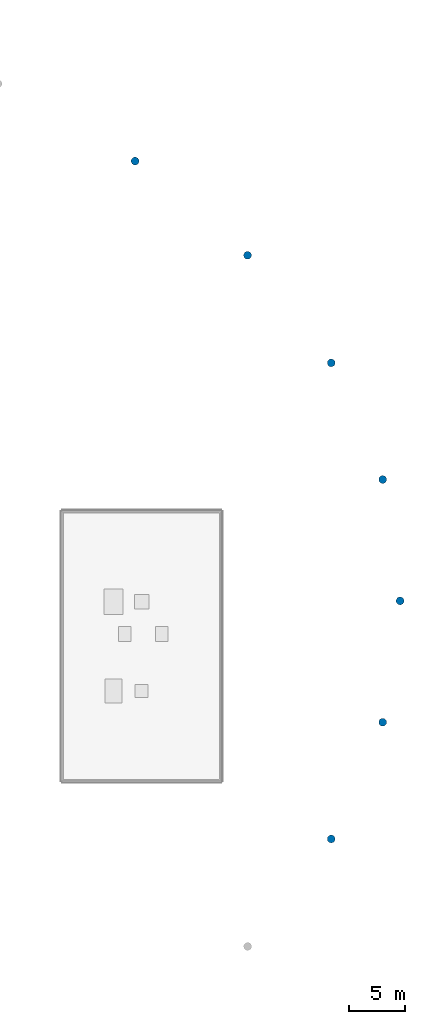
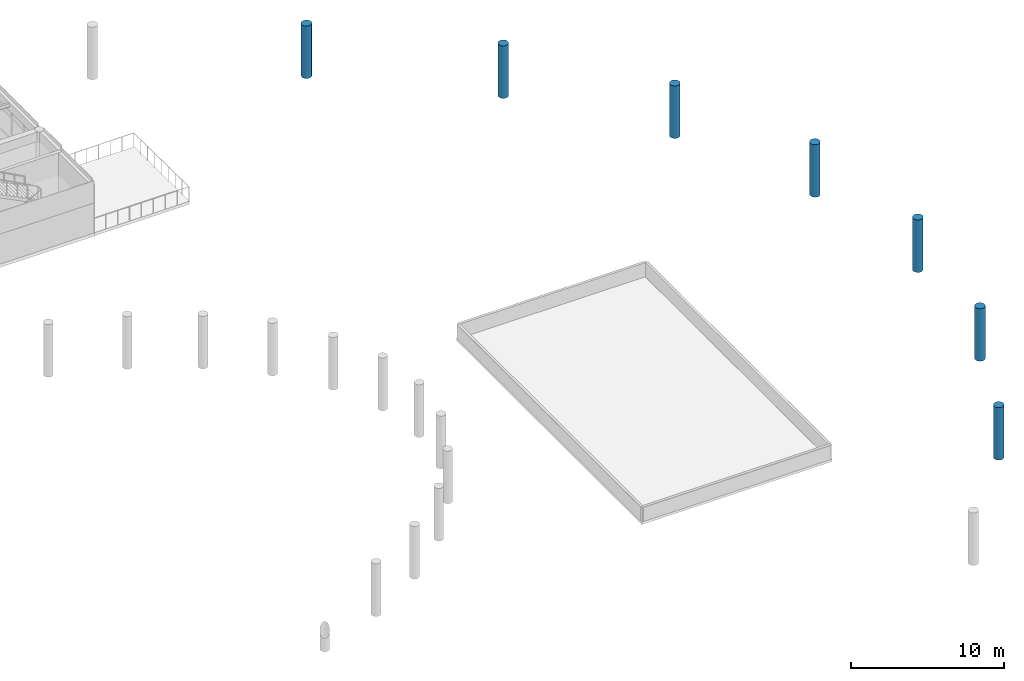
# One storey, part 2 of 41: 7 columns.
"""IFC4 building model written with IfcOpenShell, lengths in metres."""

from ifc_helpers import new_model, si_unit, direction, frame, origin, origin_2d, place, context, subcontext, project, spatial, circle, extrude, material, material_profile, profile_set, type_object, element, save


model = new_model("IFC4")

# Units and contexts
model_context = context("Model", 3, precision=1e-05, world=origin(), true_north=direction((0.0, 1.0)))
body_context = subcontext(model_context, "Body", "Model", "MODEL_VIEW")
ifc_project = project(units=[si_unit("LENGTHUNIT", "METRE"), si_unit("AREAUNIT", "SQUARE_METRE"), si_unit("VOLUMEUNIT", "CUBIC_METRE"), si_unit("PLANEANGLEUNIT", "RADIAN"), si_unit("MASSUNIT", "GRAM", prefix="KILO")], contexts=[model_context])

# Site, building, storey
site_placement = place(None, origin())
site = spatial("IfcSite", under=ifc_project, at=site_placement, CompositionType="ELEMENT")
building_placement = place(site_placement, origin())
building = spatial("IfcBuilding", under=site, at=building_placement, Name="Namkhue Oval Health Centre", CompositionType="ELEMENT")
storey_placement = place(building_placement, frame((0.0, 0.0, 13.800048828125)))
storey = spatial("IfcBuildingStorey", under=building, at=storey_placement, Name="L03", CompositionType="ELEMENT", Elevation=13.800048828125)

# Columns
ifc_material = material(Name="Reinforced concrete C35/45 (TCVN B40)", Category="concrete")
ifc_material_profile = material_profile(ifc_material, circle(Radius=0.35009765625, at=origin_2d()), Name="RC D700")
ifc_profile_set = profile_set([ifc_material_profile], Name="Reinforced concrete C35/45 (TCVN B40)")
column_type = type_object("IfcColumnType", Name="RC COLUMN D700 EXT", PredefinedType="COLUMN", material=ifc_profile_set)
for number, where, z_axis, x_axis, name in (
    (1, (167.0400390625, 59.39990234375, 0.0), (0.0, 0.0, 1.0), (1.0, 0.0, 0.0), "Gridshell OR Colonnade Column 1 L03"),
    (2, (165.490478515625, 70.2158203125, 0.0), (0.0, 0.0, 1.0), (1.0, 0.0, 0.0), "Gridshell OR Colonnade Column 2 L03"),
    (3, (160.901611328125, 80.615966796875, 0.0), (0.0, 0.0, 1.0), (1.0, 0.0, 0.0), "Gridshell OR Colonnade Column 3 L03"),
    (4, (153.44970703125, 90.200927734375, 0.0), (0.0, 0.0, 1.0), (1.0, 0.0, 0.0), "Gridshell OR Colonnade Column 4 L03"),
    (5, (143.421142578125, 98.60205078125, 0.0), (0.0, 0.0, 1.0), (1.0, 0.0, 0.0), "Gridshell OR Colonnade Column 5 L03"),
    (6, (160.901611328125, 38.18408203125, 0.0), (0.0, 0.0, 1.0), (1.0, 0.0, 0.0), "Gridshell OR Colonnade Column 31 L03"),
    (7, (165.490478515625, 48.584228515625, 0.0), (0.0, 0.0, 1.0), (1.0, 0.0, 0.0), "Gridshell OR Colonnade Column 32 L03"),
):
    element("IfcColumn", number, at=place(storey_placement, frame(where, z_axis=z_axis, x_axis=x_axis)), inside=storey, type_object=column_type, Name=name, PredefinedType="COLUMN", context=body_context, shape_type="SweptSolid", body=[
        extrude(circle(Radius=0.35009765625, at=origin_2d()), origin(), (0.0, 0.0, 1.0), 4.199951171875),
    ])

save(model, "model.ifc")
